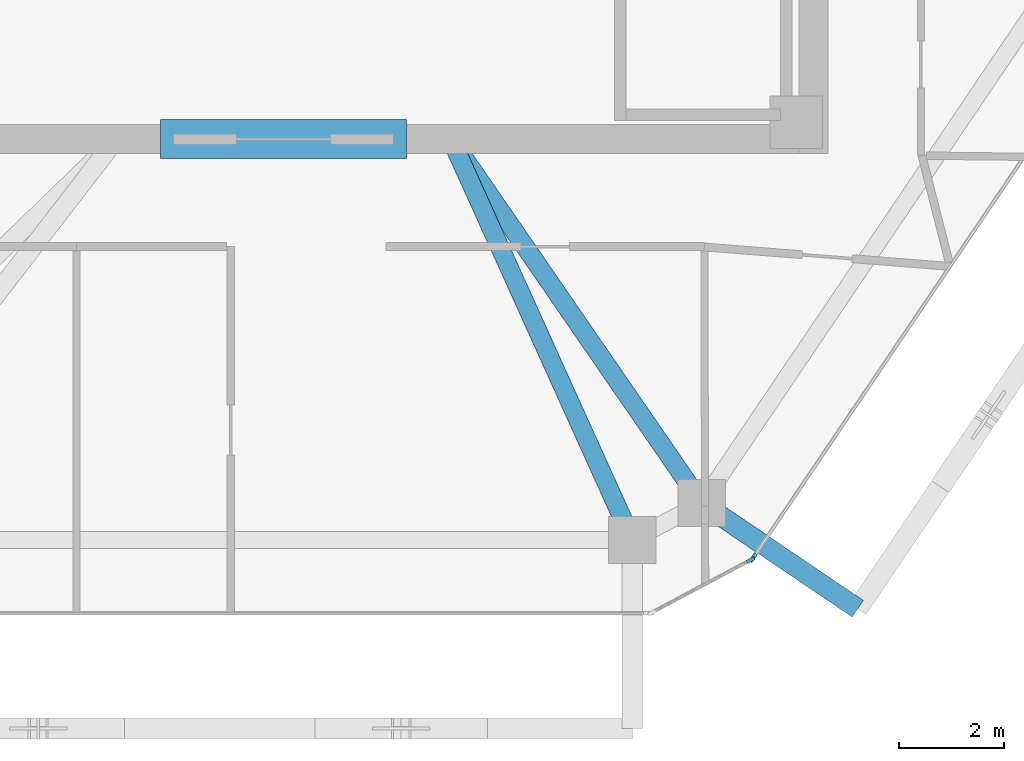
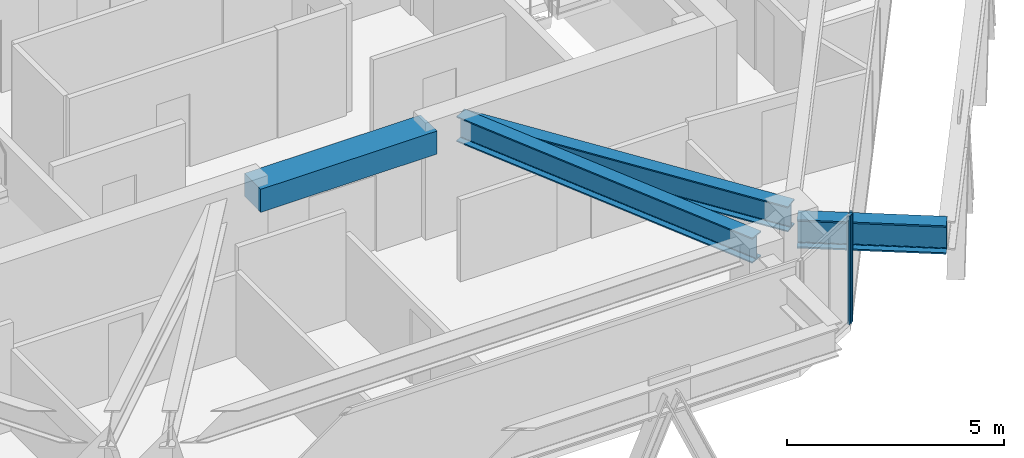
# One storey, part 3 of 13: 4 beams, 2 members, 2 elements without a shape of their own.
"""IFC4 building model written with IfcOpenShell, lengths in metres."""

from ifc_helpers import new_model, si_unit, direction, frame, origin, origin_2d, place, context, subcontext, project, spatial, rectangle, i_section, extrude, source, transform, mapped, material, layer, layer_set, material_profile, profile_set, type_object, type_shapes, element, aggregate, save


model = new_model("IFC4")

# Units and contexts
model_context = context("Model", 3, precision=1e-05, world=origin(), true_north=direction((0.0, 1.0)))
body_context = subcontext(model_context, "Body", "Model", "MODEL_VIEW")
ifc_project = project(units=[si_unit("LENGTHUNIT", "METRE"), si_unit("AREAUNIT", "SQUARE_METRE"), si_unit("VOLUMEUNIT", "CUBIC_METRE"), si_unit("PLANEANGLEUNIT", "RADIAN"), si_unit("MASSUNIT", "GRAM", prefix="KILO")], contexts=[model_context])

# Site, building, storey
site_placement = place(None, origin())
site = spatial("IfcSite", under=ifc_project, at=site_placement, CompositionType="ELEMENT")
building_placement = place(site_placement, origin())
building = spatial("IfcBuilding", under=site, at=building_placement, Name="Durnholm Broadcast Tower", CompositionType="ELEMENT")
storey_placement = place(building_placement, frame((0.0, 0.0, 228.199951171875)))
storey = spatial("IfcBuildingStorey", under=building, at=storey_placement, Name="L63", CompositionType="ELEMENT", Elevation=228.199951171875)

# Beams
ifc_material_1 = material(Name="Concrete C70/85", Category="concrete")
ifc_material_profile_1 = material_profile(ifc_material_1, rectangle(XDim=0.75, YDim=0.64990234375, at=origin_2d()), Name="RC750X650")
ifc_profile_set_1 = profile_set([ifc_material_profile_1], Name="Concrete C70/85")
beam_type_1 = type_object("IfcBeamType", Name="BM-CB-RC650", PredefinedType="LINTEL", material=ifc_profile_set_1)
shared_shape_1 = source(origin(), body_context, "Body", "SweptSolid", [
    extrude(rectangle(XDim=0.75, YDim=0.64990234375, at=origin_2d()), origin(), (0.0, 0.0, 1.0), 4.7001953125),
])
type_shapes(beam_type_1, [shared_shape_1])
beam_1_placement = place(storey_placement, frame((-2.35009765625, -8.125, 2.72998046875), z_axis=(1.0, 0.0, 0.0), x_axis=(0.0, 1.0, 0.0)))
element("IfcBeam", 1, at=beam_1_placement, inside=storey, type_object=beam_type_1, Name="L63 south core coupling lintel beam CB-S", PredefinedType="LINTEL", context=body_context, shape_type="MappedRepresentation", body=[
    mapped(shared_shape_1, transform((0.0, 0.0, 0.0), x_axis=(1.0, 0.0, 0.0), y_axis=(0.0, 1.0, 0.0), z_axis=(0.0, 0.0, 1.0), scale=1.0)),
])
ifc_material_2 = material(Name="Steel ASTM A992 Grade 50", Category="steel")
ifc_material_profile_2 = material_profile(ifc_material_2, i_section(OverallWidth=0.385009765625, OverallDepth=0.802978515625, WebThickness=0.023681640625, FlangeThickness=0.0419921875, FilletRadius=0.032958984375, at=origin_2d()), Name="W30X261")
ifc_profile_set_2 = profile_set([ifc_material_profile_2], Name="Steel ASTM A992 Grade 50")
beam_type_2 = type_object("IfcBeamType", Name="BM-EXO-TIE", PredefinedType="USERDEFINED", material=ifc_profile_set_2)
shared_shape_2 = source(origin(), body_context, "Body", "SweptSolid", [
    extrude(i_section(OverallWidth=0.385009765625, OverallDepth=0.802978515625, WebThickness=0.023681640625, FlangeThickness=0.0419921875, FilletRadius=0.032958984375, at=origin_2d()), origin(), (0.0, 0.0, 1.0), 3.4560546875),
])
type_shapes(beam_type_2, [shared_shape_2])
beam_2_placement = place(storey_placement, frame((8.110107421875, -15.161865234375, 2.30859375), z_axis=(0.828468499792, -0.560035663911, 0.0), x_axis=(0.560035663911, 0.828468499792, 0.0)))
element("IfcBeam", 2, at=beam_2_placement, inside=storey, type_object=beam_type_2, Name="L63 exoskeleton stand-off tie bracket F2.1", ObjectType="GIRDER", PredefinedType="USERDEFINED", context=body_context, shape_type="MappedRepresentation", body=[
    mapped(shared_shape_2, transform((0.0, 0.0, 0.0), x_axis=(1.0, 0.0, 0.0), y_axis=(0.0, 1.0, 0.0), z_axis=(0.0, 0.0, 1.0), scale=1.0)),
])
ifc_material_profile_3 = material_profile(ifc_material_2, i_section(OverallWidth=0.3564453125, OverallDepth=0.713623046875, WebThickness=0.01904296875, FlangeThickness=0.033935546875, FilletRadius=0.030517578125, at=origin_2d()), Name="W27X194")
ifc_profile_set_3 = profile_set([ifc_material_profile_3], Name="Steel ASTM A992 Grade 50")
beam_type_3 = type_object("IfcBeamType", Name="STL-GR-W27X194", PredefinedType="USERDEFINED", material=ifc_profile_set_3)
shared_shape_3 = source(origin(), body_context, "Body", "SweptSolid", [
    extrude(i_section(OverallWidth=0.3564453125, OverallDepth=0.713623046875, WebThickness=0.01904296875, FlangeThickness=0.033935546875, FilletRadius=0.030517578125, at=origin_2d()), origin(), (0.0, 0.0, 1.0), 8.446533203125),
])
beam_3_placement = place(storey_placement, frame((3.199951171875, -8.125, 2.688232421875), z_axis=(0.567216806915, -0.823568511997, 0.0), x_axis=(0.823568511997, 0.567216806915, 0.0)))
element("IfcBeam", 3, at=beam_3_placement, inside=storey, type_object=beam_type_3, Name="L63 radial primary floor girder 10", ObjectType="GIRDER", PredefinedType="USERDEFINED", context=body_context, shape_type="MappedRepresentation", body=[
    mapped(shared_shape_3, transform((0.0, 0.0, 0.0), x_axis=(1.0, 0.0, 0.0), y_axis=(0.0, 1.0, 0.0), z_axis=(0.0, 0.0, 1.0), scale=1.0)),
])
shared_shape_4 = source(origin(), body_context, "Body", "SweptSolid", [
    extrude(i_section(OverallWidth=0.3564453125, OverallDepth=0.713623046875, WebThickness=0.01904296875, FlangeThickness=0.033935546875, FilletRadius=0.030517578125, at=origin_2d()), origin(), (0.0, 0.0, 1.0), 8.407470703125),
])
type_shapes(beam_type_3, [shared_shape_3, shared_shape_4])
beam_4_placement = place(storey_placement, frame((3.199951171875, -8.125, 2.688232421875), z_axis=(0.411992813642, -0.911187094678, 0.0), x_axis=(0.911187094678, 0.411992813642, 0.0)))
element("IfcBeam", 4, at=beam_4_placement, inside=storey, type_object=beam_type_3, Name="L63 radial primary floor girder 11", ObjectType="GIRDER", PredefinedType="USERDEFINED", context=body_context, shape_type="MappedRepresentation", body=[
    mapped(shared_shape_4, transform((0.0, 0.0, 0.0), x_axis=(1.0, 0.0, 0.0), y_axis=(0.0, 1.0, 0.0), z_axis=(0.0, 0.0, 1.0), scale=1.0)),
])

# Curtain wall, member
ifc_material_3 = material(Name="Aluminium and Solar Control IGU", Category="aluminium")
ifc_layer_1 = layer(ifc_material_3, 0.1650390625)
ifc_layer_set_1 = layer_set([ifc_layer_1], Name="Aluminium and Solar Control IGU")
curtain_wall_type_1 = type_object("IfcCurtainWallType", Name="CW-SYS-5", PredefinedType="NOTDEFINED", material=ifc_layer_set_1)
curtain_wall_1_placement = place(storey_placement, origin())
curtain_wall_1 = element("IfcCurtainWall", 5, at=curtain_wall_1_placement, inside=storey, type_object=curtain_wall_type_1, Name="L63 curtain wall CW-CORNER CW-L63-CRN-09", PredefinedType="NOTDEFINED")
ifc_material_4 = material(Name="Aluminium 6063-T6", Category="aluminium")
ifc_material_profile_4 = material_profile(ifc_material_4, rectangle(XDim=0.06494140625, YDim=0.1650390625, at=origin_2d()), Name="CWM65X165")
ifc_profile_set_4 = profile_set([ifc_material_profile_4], Name="Aluminium 6063-T6")
member_type_1 = type_object("IfcMemberType", Name="CW-SYS-5-MUL", PredefinedType="MULLION", material=ifc_profile_set_4)
shared_shape_5 = source(origin(), body_context, "Body", "SweptSolid", [
    extrude(rectangle(XDim=0.06494140625, YDim=0.1650390625, at=origin_2d()), origin(), (0.0, 0.0, 1.0), 3.06005859375),
])
type_shapes(member_type_1, [shared_shape_5])
member_1_placement = place(storey_placement, frame((8.9267578125, -16.16943359375, 0.0), z_axis=(0.0, 0.0, 1.0), x_axis=(0.469006771575, -0.883194569853, 0.0)))
member_1 = element("IfcMember", 6, at=member_1_placement, type_object=member_type_1, Name="CW-CORNER mullion 1", PredefinedType="MULLION", context=body_context, shape_type="MappedRepresentation", body=[
    mapped(shared_shape_5, transform((0.0, 0.0, 0.0), x_axis=(1.0, 0.0, 0.0), y_axis=(0.0, 1.0, 0.0), z_axis=(0.0, 0.0, 1.0), scale=1.0)),
])
aggregate(curtain_wall_1, [member_1])

ifc_layer_2 = layer(ifc_material_3, 0.18994140625)
ifc_layer_set_2 = layer_set([ifc_layer_2], Name="Aluminium and Solar Control IGU")
curtain_wall_type_2 = type_object("IfcCurtainWallType", Name="CW-SYS-4", PredefinedType="NOTDEFINED", material=ifc_layer_set_2)
curtain_wall_2_placement = place(storey_placement, origin())
curtain_wall_2 = element("IfcCurtainWall", 7, at=curtain_wall_2_placement, inside=storey, type_object=curtain_wall_type_2, Name="L63 curtain wall CW-Z34-VIS CW-L63-F08", PredefinedType="NOTDEFINED")
ifc_material_profile_5 = material_profile(ifc_material_4, rectangle(XDim=0.070068359375, YDim=0.18994140625, at=origin_2d()), Name="CWM70X190")
ifc_profile_set_5 = profile_set([ifc_material_profile_5], Name="Aluminium 6063-T6")
member_type_2 = type_object("IfcMemberType", Name="CW-SYS-4-MUL", PredefinedType="MULLION", material=ifc_profile_set_5)
shared_shape_6 = source(origin(), body_context, "Body", "SweptSolid", [
    extrude(rectangle(XDim=0.070068359375, YDim=0.18994140625, at=origin_2d()), origin(), (0.0, 0.0, 1.0), 3.06005859375),
])
type_shapes(member_type_2, [shared_shape_6])
member_2_placement = place(storey_placement, frame((8.97509765625, -16.125244140625, 0.0), z_axis=(0.0, 0.0, 1.0), x_axis=(0.828443431662, -0.560072745753, 0.0)))
member_2 = element("IfcMember", 8, at=member_2_placement, type_object=member_type_2, Name="CW-Z34-VIS mullion 2", PredefinedType="MULLION", context=body_context, shape_type="MappedRepresentation", body=[
    mapped(shared_shape_6, transform((0.0, 0.0, 0.0), x_axis=(1.0, 0.0, 0.0), y_axis=(0.0, 1.0, 0.0), z_axis=(0.0, 0.0, 1.0), scale=1.0)),
])
aggregate(curtain_wall_2, [member_2])

save(model, "model.ifc")
